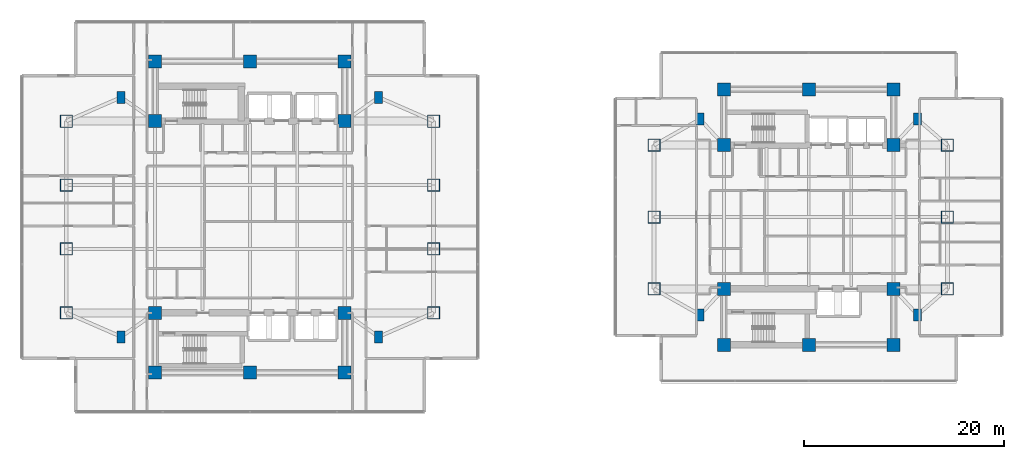
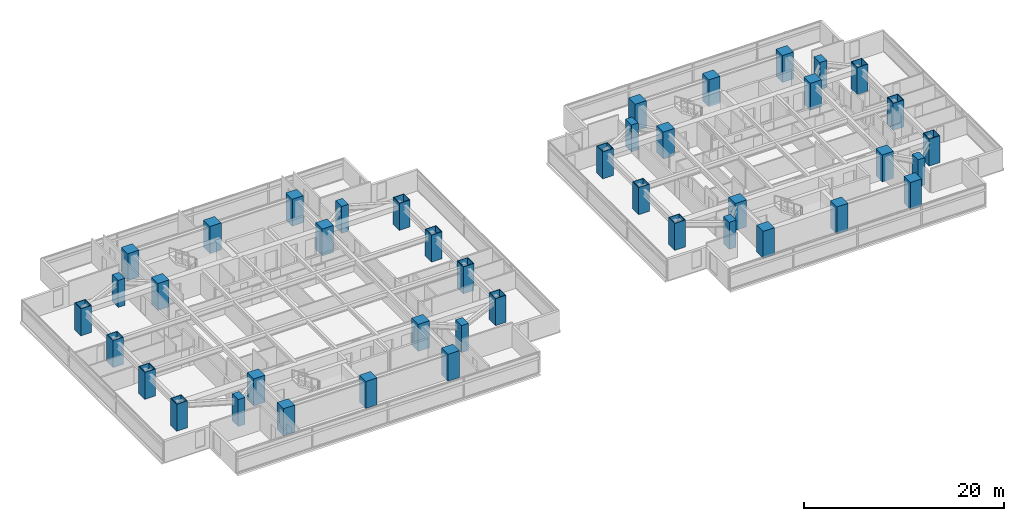
# One storey, part 1 of 26: 42 columns.
"""IFC4 building model written with IfcOpenShell, lengths in metres."""

from ifc_helpers import new_model, si_unit, direction, frame, origin, origin_2d, place, context, subcontext, project, spatial, rectangle, hollow_rectangle, extrude, material, material_profile, profile_set, type_object, element, save


model = new_model("IFC4")

# Units and contexts
model_context = context("Model", 3, precision=1e-05, world=origin(), true_north=direction((0.0, 1.0)))
body_context = subcontext(model_context, "Body", "Model", "MODEL_VIEW")
ifc_project = project(units=[si_unit("LENGTHUNIT", "METRE"), si_unit("AREAUNIT", "SQUARE_METRE"), si_unit("VOLUMEUNIT", "CUBIC_METRE"), si_unit("PLANEANGLEUNIT", "RADIAN"), si_unit("MASSUNIT", "GRAM", prefix="KILO")], contexts=[model_context])

# Site, building, storey
site_placement = place(None, origin())
site = spatial("IfcSite", under=ifc_project, at=site_placement, CompositionType="ELEMENT")
building_placement = place(site_placement, origin())
building = spatial("IfcBuilding", under=site, at=building_placement, Name="Mirazonda Arch Towers", CompositionType="ELEMENT")
storey_placement = place(building_placement, frame((0.0, 0.0, 78.5)))
storey = spatial("IfcBuildingStorey", under=building, at=storey_placement, Name="L22", CompositionType="ELEMENT", Elevation=78.5)

# Columns
ifc_material_1 = material(Name="Concrete C60/75", Category="concrete")
ifc_material_profile_1 = material_profile(ifc_material_1, rectangle(XDim=1.300048828125, YDim=1.300048828125, at=origin_2d()), Name="RC1300x1300")
ifc_profile_set_1 = profile_set([ifc_material_profile_1], Name="Concrete C60/75")
column_type_1 = type_object("IfcColumnType", Name="COL-INT-RC1300x1300", PredefinedType="COLUMN", material=ifc_profile_set_1)
for number, where, z_axis, x_axis, name in (
    (1, (11.0, 12.39990234375, 0.0), (0.0, 0.0, 1.0), (1.0, 0.0, 0.0), "L22 T1 Core Column 01"),
    (2, (20.5, 12.39990234375, 0.0), (0.0, 0.0, 1.0), (1.0, 0.0, 0.0), "L22 T1 Core Column 02"),
    (3, (30.0, 12.39990234375, 0.0), (0.0, 0.0, 1.0), (1.0, 0.0, 0.0), "L22 T1 Core Column 03"),
    (4, (11.0, 18.39990234375, 0.0), (0.0, 0.0, 1.0), (1.0, 0.0, 0.0), "L22 T1 Core Column 04"),
    (5, (30.0, 18.39990234375, 0.0), (0.0, 0.0, 1.0), (1.0, 0.0, 0.0), "L22 T1 Core Column 05"),
    (6, (11.0, 37.60009765625, 0.0), (0.0, 0.0, 1.0), (1.0, 0.0, 0.0), "L22 T1 Core Column 06"),
    (7, (30.0, 37.60009765625, 0.0), (0.0, 0.0, 1.0), (1.0, 0.0, 0.0), "L22 T1 Core Column 07"),
    (8, (11.0, 43.60009765625, 0.0), (0.0, 0.0, 1.0), (1.0, 0.0, 0.0), "L22 T1 Core Column 08"),
    (9, (20.5, 43.60009765625, 0.0), (0.0, 0.0, 1.0), (1.0, 0.0, 0.0), "L22 T1 Core Column 09"),
    (10, (30.0, 43.60009765625, 0.0), (0.0, 0.0, 1.0), (1.0, 0.0, 0.0), "L22 T1 Core Column 10"),
    (11, (68.0, 15.199951171875, 0.0), (0.0, 0.0, 1.0), (1.0, 0.0, 0.0), "L22 T2 Core Column 01"),
    (12, (76.5, 15.199951171875, 0.0), (0.0, 0.0, 1.0), (1.0, 0.0, 0.0), "L22 T2 Core Column 02"),
    (13, (85.0, 15.199951171875, 0.0), (0.0, 0.0, 1.0), (1.0, 0.0, 0.0), "L22 T2 Core Column 03"),
    (14, (68.0, 20.800048828125, 0.0), (0.0, 0.0, 1.0), (1.0, 0.0, 0.0), "L22 T2 Core Column 04"),
    (15, (85.0, 20.800048828125, 0.0), (0.0, 0.0, 1.0), (1.0, 0.0, 0.0), "L22 T2 Core Column 05"),
    (16, (68.0, 35.199951171875, 0.0), (0.0, 0.0, 1.0), (1.0, 0.0, 0.0), "L22 T2 Core Column 06"),
    (17, (85.0, 35.199951171875, 0.0), (0.0, 0.0, 1.0), (1.0, 0.0, 0.0), "L22 T2 Core Column 07"),
    (18, (68.0, 40.800048828125, 0.0), (0.0, 0.0, 1.0), (1.0, 0.0, 0.0), "L22 T2 Core Column 08"),
    (19, (76.5, 40.800048828125, 0.0), (0.0, 0.0, 1.0), (1.0, 0.0, 0.0), "L22 T2 Core Column 09"),
    (20, (85.0, 40.800048828125, 0.0), (0.0, 0.0, 1.0), (1.0, 0.0, 0.0), "L22 T2 Core Column 10"),
):
    element("IfcColumn", number, at=place(storey_placement, frame(where, z_axis=z_axis, x_axis=x_axis)), inside=storey, type_object=column_type_1, Name=name, PredefinedType="COLUMN", context=body_context, shape_type="SweptSolid", body=[
        extrude(rectangle(XDim=1.300048828125, YDim=1.300048828125, at=origin_2d()), origin(), (0.0, 0.0, 1.0), 3.300048828125),
    ])
ifc_material_2 = material(Name="Steel ASTM A572 Grade 50", Category="steel")
ifc_material_profile_2 = material_profile(ifc_material_2, hollow_rectangle(XDim=1.25, YDim=1.25, WallThickness=0.070068359375, at=origin_2d()), Name="BOX1250x1250x70")
ifc_profile_set_2 = profile_set([ifc_material_profile_2], Name="Steel ASTM A572 Grade 50")
column_type_2 = type_object("IfcColumnType", Name="MCOL-EXT-BOX1250x1250x70", PredefinedType="COLUMN", material=ifc_profile_set_2)
for number, where, z_axis, x_axis, name in (
    (21, (2.10009765625, 18.39990234375, 0.0), (0.0, 0.0, 1.0), (1.0, 0.0, 0.0), "L22 T1 Composite Mega-Column 01"),
    (22, (2.10009765625, 24.800048828125, 0.0), (0.0, 0.0, 1.0), (1.0, 0.0, 0.0), "L22 T1 Composite Mega-Column 02"),
    (23, (2.10009765625, 31.199951171875, 0.0), (0.0, 0.0, 1.0), (1.0, 0.0, 0.0), "L22 T1 Composite Mega-Column 03"),
    (24, (2.10009765625, 37.60009765625, 0.0), (0.0, 0.0, 1.0), (1.0, 0.0, 0.0), "L22 T1 Composite Mega-Column 04"),
    (25, (38.89990234375, 18.39990234375, 0.0), (0.0, 0.0, 1.0), (1.0, 0.0, 0.0), "L22 T1 Composite Mega-Column 05"),
    (26, (38.89990234375, 24.800048828125, 0.0), (0.0, 0.0, 1.0), (1.0, 0.0, 0.0), "L22 T1 Composite Mega-Column 06"),
    (27, (38.89990234375, 31.199951171875, 0.0), (0.0, 0.0, 1.0), (1.0, 0.0, 0.0), "L22 T1 Composite Mega-Column 07"),
    (28, (38.89990234375, 37.60009765625, 0.0), (0.0, 0.0, 1.0), (1.0, 0.0, 0.0), "L22 T1 Composite Mega-Column 08"),
    (29, (61.0, 20.800048828125, 0.0), (0.0, 0.0, 1.0), (1.0, 0.0, 0.0), "L22 T2 Composite Mega-Column 01"),
    (30, (61.0, 28.0, 0.0), (0.0, 0.0, 1.0), (1.0, 0.0, 0.0), "L22 T2 Composite Mega-Column 02"),
    (31, (61.0, 35.199951171875, 0.0), (0.0, 0.0, 1.0), (1.0, 0.0, 0.0), "L22 T2 Composite Mega-Column 03"),
    (32, (90.39990234375, 20.800048828125, 0.0), (0.0, 0.0, 1.0), (1.0, 0.0, 0.0), "L22 T2 Composite Mega-Column 04"),
    (33, (90.39990234375, 28.0, 0.0), (0.0, 0.0, 1.0), (1.0, 0.0, 0.0), "L22 T2 Composite Mega-Column 05"),
    (34, (90.39990234375, 35.199951171875, 0.0), (0.0, 0.0, 1.0), (1.0, 0.0, 0.0), "L22 T2 Composite Mega-Column 06"),
):
    element("IfcColumn", number, at=place(storey_placement, frame(where, z_axis=z_axis, x_axis=x_axis)), inside=storey, type_object=column_type_2, Name=name, PredefinedType="COLUMN", context=body_context, shape_type="SweptSolid", body=[
        extrude(hollow_rectangle(XDim=1.25, YDim=1.25, WallThickness=0.070068359375, at=origin_2d()), origin(), (0.0, 0.0, 1.0), 3.300048828125),
    ])
ifc_material_profile_3 = material_profile(ifc_material_1, rectangle(XDim=0.800048828125, YDim=1.199951171875, at=origin_2d()), Name="RC1200x800")
ifc_profile_set_3 = profile_set([ifc_material_profile_3], Name="Concrete C60/75")
column_type_3 = type_object("IfcColumnType", Name="PIL-EXT-RC1200x800", PredefinedType="PILASTER", material=ifc_profile_set_3)
for number, where, z_axis, x_axis, name in (
    (35, (7.60009765625, 16.0, 0.0), (0.0, 0.0, 1.0), (1.0, 0.0, 0.0), "L22 T1 Corner Pilaster 01"),
    (36, (33.39990234375, 16.0, 0.0), (0.0, 0.0, 1.0), (1.0, 0.0, 0.0), "L22 T1 Corner Pilaster 02"),
    (37, (7.60009765625, 40.0, 0.0), (0.0, 0.0, 1.0), (1.0, 0.0, 0.0), "L22 T1 Corner Pilaster 03"),
    (38, (33.39990234375, 40.0, 0.0), (0.0, 0.0, 1.0), (1.0, 0.0, 0.0), "L22 T1 Corner Pilaster 04"),
    (39, (65.60009765625, 18.199951171875, 0.0), (0.0, 0.0, 1.0), (1.0, 0.0, 0.0), "L22 T2 Corner Pilaster 01"),
    (40, (87.39990234375, 18.199951171875, 0.0), (0.0, 0.0, 1.0), (1.0, 0.0, 0.0), "L22 T2 Corner Pilaster 02"),
    (41, (65.60009765625, 37.800048828125, 0.0), (0.0, 0.0, 1.0), (1.0, 0.0, 0.0), "L22 T2 Corner Pilaster 03"),
    (42, (87.39990234375, 37.800048828125, 0.0), (0.0, 0.0, 1.0), (1.0, 0.0, 0.0), "L22 T2 Corner Pilaster 04"),
):
    element("IfcColumn", number, at=place(storey_placement, frame(where, z_axis=z_axis, x_axis=x_axis)), inside=storey, type_object=column_type_3, Name=name, PredefinedType="PILASTER", context=body_context, shape_type="SweptSolid", body=[
        extrude(rectangle(XDim=0.800048828125, YDim=1.199951171875, at=origin_2d()), origin(), (0.0, 0.0, 1.0), 3.300048828125),
    ])

save(model, "model.ifc")
